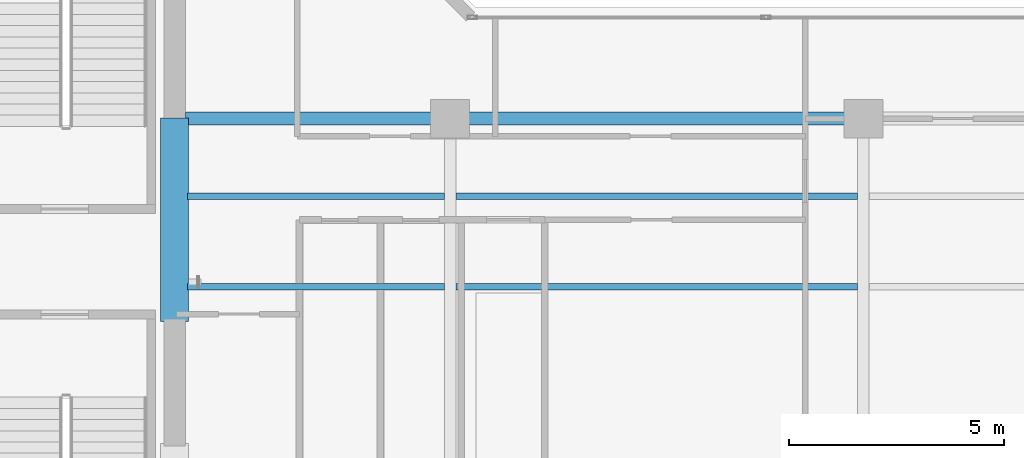
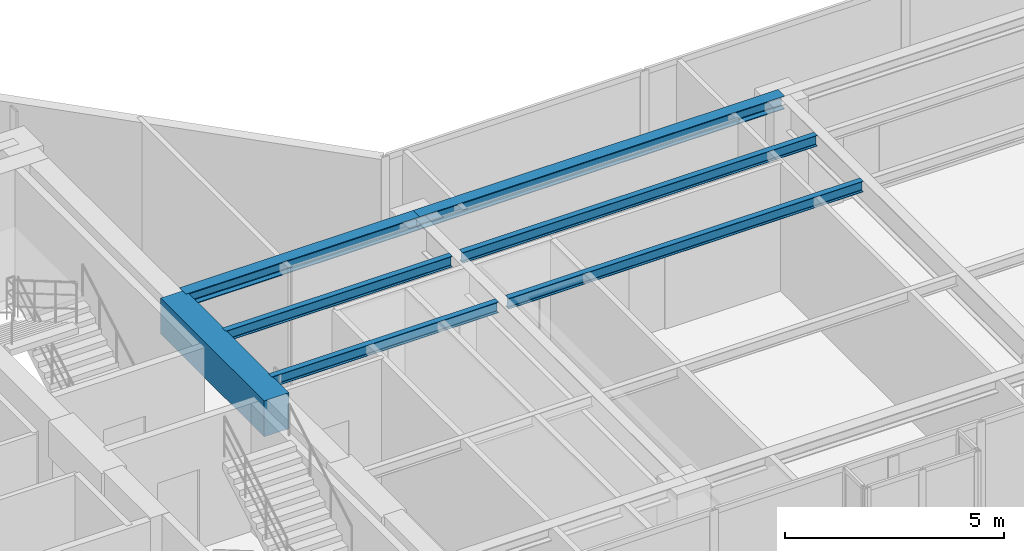
# One storey, part 6 of 22: 7 beams.
"""IFC4 building model written with IfcOpenShell, lengths in metres."""

from ifc_helpers import new_model, si_unit, direction, frame, origin, origin_2d, place, context, subcontext, project, spatial, rectangle, i_section, extrude, material, material_profile, profile_set, type_object, element, save


model = new_model("IFC4")

# Units and contexts
model_context = context("Model", 3, precision=1e-05, world=origin(), true_north=direction((0.0, 1.0)))
body_context = subcontext(model_context, "Body", "Model", "MODEL_VIEW")
ifc_project = project(units=[si_unit("LENGTHUNIT", "METRE"), si_unit("AREAUNIT", "SQUARE_METRE"), si_unit("VOLUMEUNIT", "CUBIC_METRE"), si_unit("PLANEANGLEUNIT", "RADIAN"), si_unit("MASSUNIT", "GRAM", prefix="KILO")], contexts=[model_context])

# Site, building, storey
site_placement = place(None, origin())
site = spatial("IfcSite", under=ifc_project, at=site_placement, CompositionType="ELEMENT")
building_placement = place(site_placement, origin())
building = spatial("IfcBuilding", under=site, at=building_placement, Name="Kolvaren Waterfront Exchange", CompositionType="ELEMENT")
storey_placement = place(building_placement, frame((0.0, 0.0, 266.60009765625)))
storey = spatial("IfcBuildingStorey", under=building, at=storey_placement, Name="L68", CompositionType="ELEMENT", Elevation=266.60009765625)

# Beams
ifc_material_1 = material(Name="Steel S355", Category="steel")
ifc_material_profile_1 = material_profile(ifc_material_1, i_section(OverallWidth=0.300048828125, OverallDepth=0.360107421875, WebThickness=0.012451171875, FlangeThickness=0.0224609375, FilletRadius=0.027099609375, at=origin_2d()), Name="HEB360")
ifc_profile_set_1 = profile_set([ifc_material_profile_1], Name="Steel S355")
beam_type_1 = type_object("IfcBeamType", Name="STR-BM-HEB360", PredefinedType="SPANDREL", material=ifc_profile_set_1)
beam_1_placement = place(storey_placement, frame((21.050048828125, 17.39990234375, 3.3798828125), z_axis=(1.0, 0.0, 0.0), x_axis=(0.0, 1.0, 0.0)))
element("IfcBeam", 1, at=beam_1_placement, inside=storey, type_object=beam_type_1, Name="L68 east-arm spandrel N1", PredefinedType="SPANDREL", context=body_context, shape_type="SweptSolid", body=[
    extrude(i_section(OverallWidth=0.300048828125, OverallDepth=0.360107421875, WebThickness=0.012451171875, FlangeThickness=0.0224609375, FilletRadius=0.027099609375, at=origin_2d()), origin(), (0.0, 0.0, 1.0), 6.14990234375),
])
beam_2_placement = place(storey_placement, frame((27.199951171875, 17.39990234375, 3.3798828125), z_axis=(1.0, 0.0, 0.0), x_axis=(0.0, 1.0, 0.0)))
element("IfcBeam", 2, at=beam_2_placement, inside=storey, type_object=beam_type_1, Name="L68 east-arm spandrel N2", PredefinedType="SPANDREL", context=body_context, shape_type="SweptSolid", body=[
    extrude(i_section(OverallWidth=0.300048828125, OverallDepth=0.360107421875, WebThickness=0.012451171875, FlangeThickness=0.0224609375, FilletRadius=0.027099609375, at=origin_2d()), origin(), (0.0, 0.0, 1.0), 9.60009765625),
])
ifc_material_profile_2 = material_profile(ifc_material_1, i_section(OverallWidth=0.14990234375, OverallDepth=0.300048828125, WebThickness=0.007080078125, FlangeThickness=0.0107421875, FilletRadius=0.014892578125, at=origin_2d()), Name="IPE300")
ifc_profile_set_2 = profile_set([ifc_material_profile_2], Name="Steel S355")
beam_type_2 = type_object("IfcBeamType", Name="STR-BM-IPE300", PredefinedType="JOIST", material=ifc_profile_set_2)
for number, where, z_axis, x_axis, name in (
    (3, (21.10009765625, 13.5, 3.409912109375), (1.0, 0.0, 0.0), (0.0, 1.0, 0.0), "L68 east-arm composite joist 1A"),
    (4, (21.10009765625, 15.60009765625, 3.409912109375), (1.0, 0.0, 0.0), (0.0, 1.0, 0.0), "L68 east-arm composite joist 1C"),
):
    element("IfcBeam", number, at=place(storey_placement, frame(where, z_axis=z_axis, x_axis=x_axis)), inside=storey, type_object=beam_type_2, Name=name, PredefinedType="JOIST", context=body_context, shape_type="SweptSolid", body=[
        extrude(i_section(OverallWidth=0.14990234375, OverallDepth=0.300048828125, WebThickness=0.007080078125, FlangeThickness=0.0107421875, FilletRadius=0.014892578125, at=origin_2d()), origin(), (0.0, 0.0, 1.0), 5.96435546875),
    ])
for number, where, z_axis, x_axis, name in (
    (5, (27.33544921875, 13.5, 3.409912109375), (1.0, 0.0, 0.0), (0.0, 1.0, 0.0), "L68 east-arm composite joist 2A"),
    (6, (27.33544921875, 15.60009765625, 3.409912109375), (1.0, 0.0, 0.0), (0.0, 1.0, 0.0), "L68 east-arm composite joist 2C"),
):
    element("IfcBeam", number, at=place(storey_placement, frame(where, z_axis=z_axis, x_axis=x_axis)), inside=storey, type_object=beam_type_2, Name=name, PredefinedType="JOIST", context=body_context, shape_type="SweptSolid", body=[
        extrude(i_section(OverallWidth=0.14990234375, OverallDepth=0.300048828125, WebThickness=0.007080078125, FlangeThickness=0.0107421875, FilletRadius=0.014892578125, at=origin_2d()), origin(), (0.0, 0.0, 1.0), 9.3291015625),
    ])
ifc_material_2 = material(Name="Concrete C60/75", Category="concrete")
ifc_material_profile_3 = material_profile(ifc_material_2, rectangle(XDim=0.64990234375, YDim=1.0, at=origin_2d()), Name="RC-CB-1000x650")
ifc_profile_set_3 = profile_set([ifc_material_profile_3], Name="Concrete C60/75")
beam_type_3 = type_object("IfcBeamType", Name="STR-CB-1000", PredefinedType="SPANDREL", material=ifc_profile_set_3)
beam_3_placement = place(storey_placement, frame((20.800048828125, 12.68994140625, 3.059814453125), z_axis=(0.0, 1.0, 0.0), x_axis=(-1.0, 0.0, 0.0)))
element("IfcBeam", 7, at=beam_3_placement, inside=storey, type_object=beam_type_3, Name="L68 core coupling beam 2", PredefinedType="SPANDREL", context=body_context, shape_type="SweptSolid", body=[
    extrude(rectangle(XDim=0.64990234375, YDim=1.0, at=origin_2d()), origin(), (0.0, 0.0, 1.0), 4.719970703125),
])

save(model, "model.ifc")
